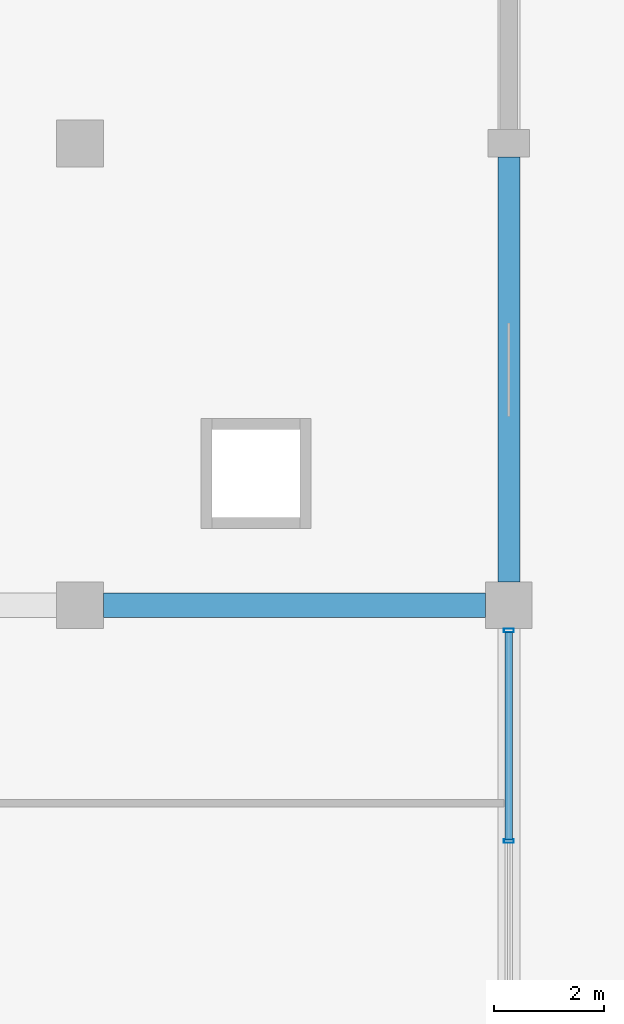
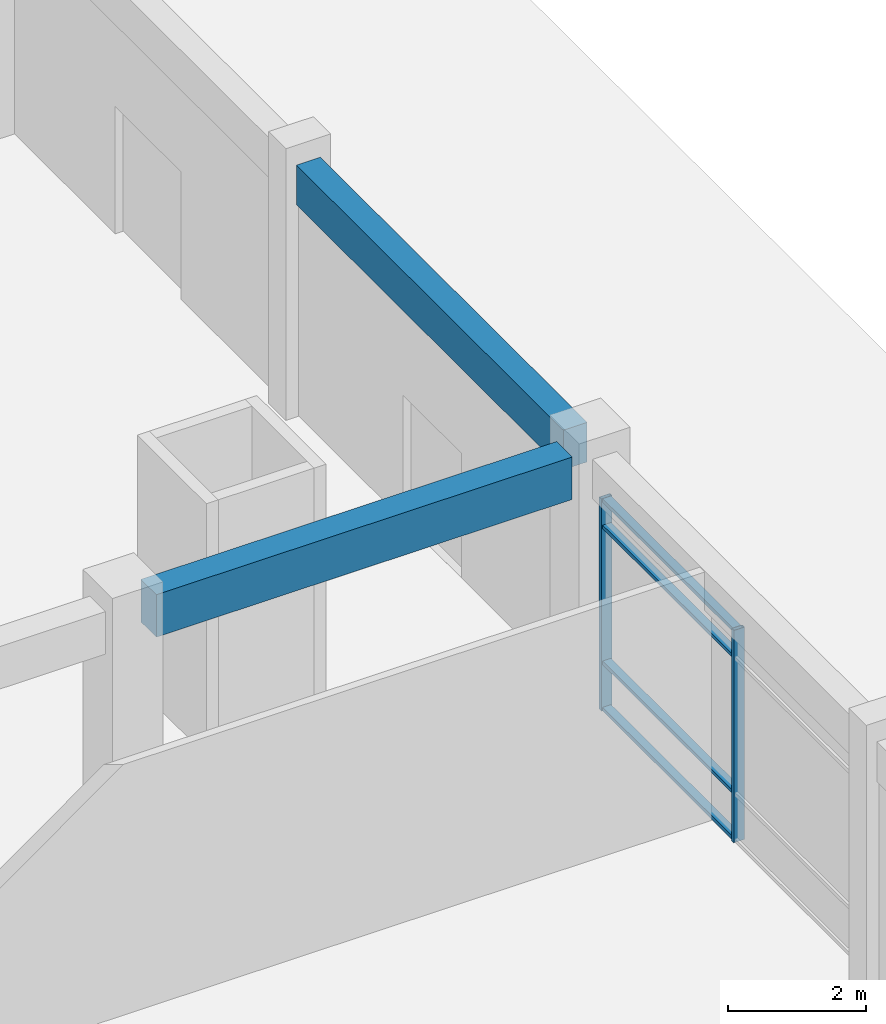
# One storey, part 39 of 74: 6 members, 2 beams, 1 element without a shape of its own.
"""IFC4 building model written with IfcOpenShell, lengths in metres."""

from ifc_helpers import new_model, si_unit, direction, frame, origin, origin_2d, place, context, subcontext, project, spatial, rectangle, hollow_rectangle, extrude, material, material_profile, profile_set, type_object, element, aggregate, save


model = new_model("IFC4")

# Units and contexts
model_context = context("Model", 3, precision=1e-05, world=origin(), true_north=direction((0.0, 1.0)))
body_context = subcontext(model_context, "Body", "Model", "MODEL_VIEW")
ifc_project = project(units=[si_unit("LENGTHUNIT", "METRE"), si_unit("AREAUNIT", "SQUARE_METRE"), si_unit("VOLUMEUNIT", "CUBIC_METRE"), si_unit("PLANEANGLEUNIT", "RADIAN"), si_unit("MASSUNIT", "GRAM", prefix="KILO"), si_unit("THERMODYNAMICTEMPERATUREUNIT", "KELVIN"), si_unit("POWERUNIT", "WATT")], contexts=[model_context])

# Site, building, storey
site_placement = place(None, origin())
site = spatial("IfcSite", under=ifc_project, at=site_placement, CompositionType="ELEMENT")
building_placement = place(site_placement, origin())
building = spatial("IfcBuilding", under=site, at=building_placement, Name="Srebrne Nadtorze General Hospital", CompositionType="ELEMENT")
storey_placement = place(building_placement, origin())
storey = spatial("IfcBuildingStorey", under=building, at=storey_placement, Name="L00", CompositionType="ELEMENT", Elevation=0.0)

# Curtain wall, members
ifc_material_1 = material(Name="Anodised Aluminium", Category="aluminium")
curtain_wall_type = type_object("IfcCurtainWallType", Name="Unitised curtain wall 7725x3750", PredefinedType="NOTDEFINED", material=ifc_material_1)
curtain_wall_placement = place(storey_placement, origin())
curtain_wall = element("IfcCurtainWall", 1, at=curtain_wall_placement, inside=storey, type_object=curtain_wall_type, Name="Curtain wall CW-029", PredefinedType="NOTDEFINED")
ifc_material_2 = material(Name="Anodised Aluminium", Category="aluminium")
ifc_material_profile_1 = material_profile(ifc_material_2, hollow_rectangle(XDim=0.06494140625, YDim=0.179931640625, WallThickness=0.00390625, at=origin_2d()), Name="AL-MUL-65x180")
ifc_profile_set_1 = profile_set([ifc_material_profile_1], Name="Anodised Aluminium")
member_type_1 = type_object("IfcMemberType", Name="Curtain mullion 65x180", PredefinedType="MULLION", material=ifc_profile_set_1)
member_1_placement = place(storey_placement, frame((171.60009765625, 46.112548828125, 0.0), z_axis=(0.0, 0.0, 1.0), x_axis=(0.0, 1.0, 0.0)))
member_1 = element("IfcMember", 2, at=member_1_placement, type_object=member_type_1, Name="CW-029 mullion 2", PredefinedType="MULLION", context=body_context, shape_type="SweptSolid", body=[
    extrude(hollow_rectangle(XDim=0.06494140625, YDim=0.179931640625, WallThickness=0.00390625, at=origin_2d()), origin(), (0.0, 0.0, 1.0), 3.75),
])
member_2_placement = place(storey_placement, frame((171.60009765625, 49.9423828125, 0.0), z_axis=(0.0, 0.0, 1.0), x_axis=(0.0, 1.0, 0.0)))
member_2 = element("IfcMember", 3, at=member_2_placement, type_object=member_type_1, Name="CW-029 mullion 3", PredefinedType="MULLION", context=body_context, shape_type="SweptSolid", body=[
    extrude(hollow_rectangle(XDim=0.06494140625, YDim=0.179931640625, WallThickness=0.00390625, at=origin_2d()), origin(), (0.0, 0.0, 1.0), 3.75),
])
ifc_material_3 = material(Name="Anodised Aluminium", Category="aluminium")
ifc_material_profile_2 = material_profile(ifc_material_3, hollow_rectangle(XDim=0.06494140625, YDim=0.139892578125, WallThickness=0.00390625, at=origin_2d()), Name="AL-TRN-65x140")
ifc_profile_set_2 = profile_set([ifc_material_profile_2], Name="Anodised Aluminium")
member_type_2 = type_object("IfcMemberType", Name="Curtain transom 65x140", PredefinedType="USERDEFINED", material=ifc_profile_set_2)
member_3_placement = place(storey_placement, frame((171.60009765625, 46.14501953125, 0.032470703125), z_axis=(0.0, 1.0, 0.0), x_axis=(0.0, 0.0, 1.0)))
member_3 = element("IfcMember", 4, at=member_3_placement, type_object=member_type_2, Name="CW-029 transom 2.1", ObjectType="TRANSOM", PredefinedType="USERDEFINED", context=body_context, shape_type="SweptSolid", body=[
    extrude(hollow_rectangle(XDim=0.06494140625, YDim=0.139892578125, WallThickness=0.00390625, at=origin_2d()), origin(), (0.0, 0.0, 1.0), 3.764892578125),
])
member_4_placement = place(storey_placement, frame((171.60009765625, 46.14501953125, 0.85009765625), z_axis=(0.0, 1.0, 0.0), x_axis=(0.0, 0.0, 1.0)))
member_4 = element("IfcMember", 5, at=member_4_placement, type_object=member_type_2, Name="CW-029 transom 2.2", ObjectType="TRANSOM", PredefinedType="USERDEFINED", context=body_context, shape_type="SweptSolid", body=[
    extrude(hollow_rectangle(XDim=0.06494140625, YDim=0.139892578125, WallThickness=0.00390625, at=origin_2d()), origin(), (0.0, 0.0, 1.0), 3.764892578125),
])
member_5_placement = place(storey_placement, frame((171.60009765625, 46.14501953125, 3.25), z_axis=(0.0, 1.0, 0.0), x_axis=(0.0, 0.0, 1.0)))
member_5 = element("IfcMember", 6, at=member_5_placement, type_object=member_type_2, Name="CW-029 transom 2.3", ObjectType="TRANSOM", PredefinedType="USERDEFINED", context=body_context, shape_type="SweptSolid", body=[
    extrude(hollow_rectangle(XDim=0.06494140625, YDim=0.139892578125, WallThickness=0.00390625, at=origin_2d()), origin(), (0.0, 0.0, 1.0), 3.764892578125),
])
member_6_placement = place(storey_placement, frame((171.60009765625, 46.14501953125, 3.717529296875), z_axis=(0.0, 1.0, 0.0), x_axis=(0.0, 0.0, 1.0)))
member_6 = element("IfcMember", 7, at=member_6_placement, type_object=member_type_2, Name="CW-029 transom 2.4", ObjectType="TRANSOM", PredefinedType="USERDEFINED", context=body_context, shape_type="SweptSolid", body=[
    extrude(hollow_rectangle(XDim=0.06494140625, YDim=0.139892578125, WallThickness=0.00390625, at=origin_2d()), origin(), (0.0, 0.0, 1.0), 3.764892578125),
])
aggregate(curtain_wall, [member_1, member_2, member_3, member_4, member_5, member_6])

# Beams
ifc_material_4 = material(Name="Concrete C40/50", Category="concrete")
ifc_material_profile_3 = material_profile(ifc_material_4, rectangle(XDim=0.39990234375, YDim=0.699951171875, at=origin_2d()), Name="RC-BM-400x700")
ifc_profile_set_3 = profile_set([ifc_material_profile_3], Name="Concrete C40/50")
beam_type_1 = type_object("IfcBeamType", Name="Edge beam RC 400x700", PredefinedType="BEAM", material=ifc_profile_set_3)
beam_1_placement = place(storey_placement, frame((171.60009765625, 50.824951171875, 4.10009765625), z_axis=(0.0, 1.0, 0.0), x_axis=(-1.0, 0.0, 0.0)))
element("IfcBeam", 8, at=beam_1_placement, inside=storey, type_object=beam_type_1, Name="Beam BM-L00-Y-0363", PredefinedType="BEAM", context=body_context, shape_type="SweptSolid", body=[
    extrude(rectangle(XDim=0.39990234375, YDim=0.699951171875, at=origin_2d()), origin(), (0.0, 0.0, 1.0), 7.72509765625),
])
ifc_material_5 = material(Name="Concrete C40/50", Category="concrete")
ifc_material_profile_4 = material_profile(ifc_material_5, rectangle(XDim=0.449951171875, YDim=0.75, at=origin_2d()), Name="RC-BM-450x750")
ifc_profile_set_4 = profile_set([ifc_material_profile_4], Name="Concrete C40/50")
beam_type_2 = type_object("IfcBeamType", Name="Primary beam RC 450x750", PredefinedType="BEAM", material=ifc_profile_set_4)
beam_2_placement = place(storey_placement, frame((164.22509765625, 50.39990234375, 4.074951171875), z_axis=(1.0, 0.0, 0.0), x_axis=(0.0, 1.0, 0.0)))
element("IfcBeam", 9, at=beam_2_placement, inside=storey, type_object=beam_type_2, Name="Beam BM-L00-X-0240", PredefinedType="BEAM", context=body_context, shape_type="SweptSolid", body=[
    extrude(rectangle(XDim=0.449951171875, YDim=0.75, at=origin_2d()), origin(), (0.0, 0.0, 1.0), 6.949951171875),
])

save(model, "model.ifc")
